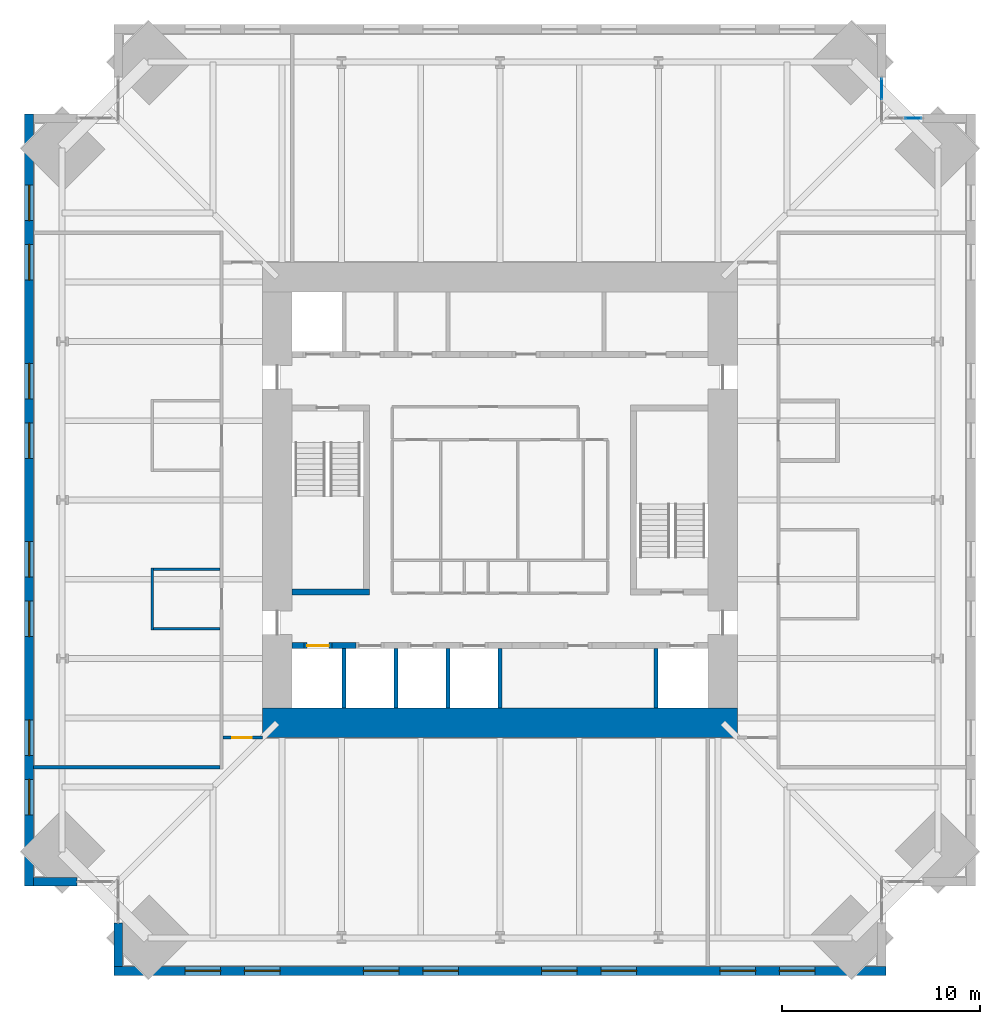
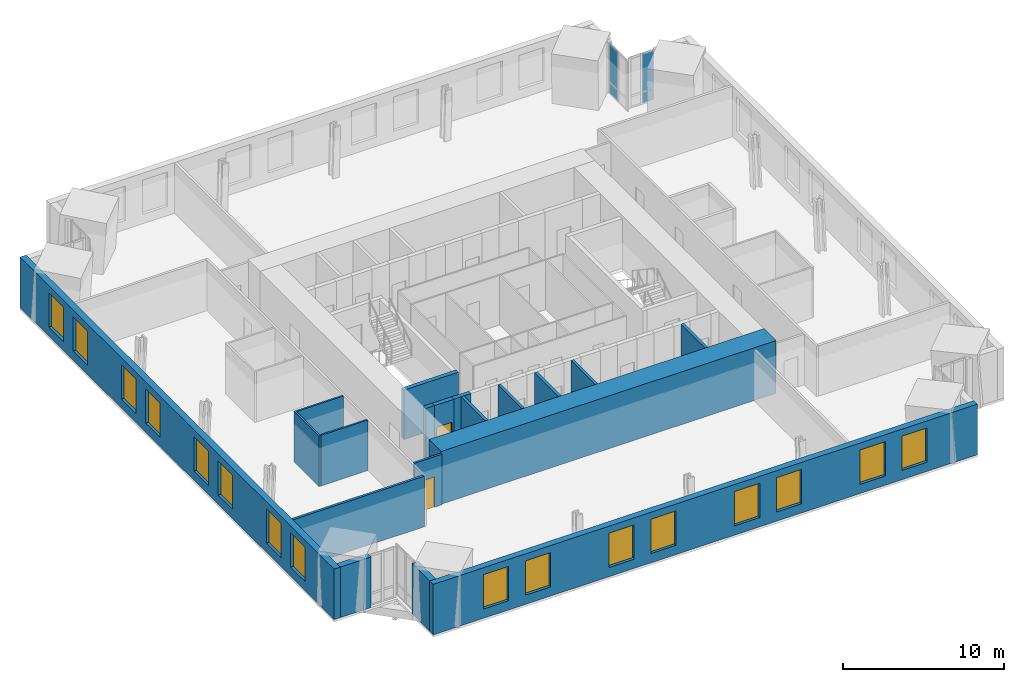
# One storey, part 10 of 15: 19 walls, 16 windows, 4 plates, 2 doors, 18 openings, 2 elements without a shape of their own.
"""IFC4 building model written with IfcOpenShell, lengths in metres."""

from ifc_helpers import new_model, si_unit, direction, frame, frame_2d, origin, origin_2d, place, context, subcontext, project, spatial, rectangle, extrude, material, layer, layer_set, type_object, element, fill, aggregate, save


model = new_model("IFC4")

# Units and contexts
model_context = context("Model", 3, precision=1e-05, world=origin(), true_north=direction((0.0, 1.0)))
body_context = subcontext(model_context, "Body", "Model", "MODEL_VIEW")
ifc_project = project(units=[si_unit("LENGTHUNIT", "METRE"), si_unit("AREAUNIT", "SQUARE_METRE"), si_unit("VOLUMEUNIT", "CUBIC_METRE"), si_unit("PLANEANGLEUNIT", "RADIAN"), si_unit("MASSUNIT", "GRAM", prefix="KILO")], contexts=[model_context])

# Site, building, storey
site_placement = place(None, origin())
site = spatial("IfcSite", under=ifc_project, at=site_placement, CompositionType="ELEMENT")
building_placement = place(site_placement, origin())
building = spatial("IfcBuilding", under=site, at=building_placement, Name="Peilmerk Tower", CompositionType="ELEMENT")
storey_placement = place(building_placement, frame((0.0, 0.0, 217.800048828125)))
storey = spatial("IfcBuildingStorey", under=building, at=storey_placement, Name="L47", CompositionType="ELEMENT", Elevation=217.800048828125)

# Curtain wall, plates
ifc_material_1 = material(Name="Aluminium stick curtain wall", Category="aluminium")
curtain_wall_type = type_object("IfcCurtainWallType", Name="CW4 stick curtain wall, 2250 module", PredefinedType="NOTDEFINED", material=ifc_material_1)
curtain_wall_1_placement = place(storey_placement, origin())
curtain_wall_1 = element("IfcCurtainWall", 1, at=curtain_wall_1_placement, inside=storey, type_object=curtain_wall_type, Name="Curtain wall CW4 NEA L47", PredefinedType="NOTDEFINED")
ifc_material_2 = material(Name="Clear insulated glazing unit", Category="glass")
ifc_layer_1 = layer(ifc_material_2, 0.028076171875)
ifc_layer_set_1 = layer_set([ifc_layer_1], Name="Clear insulated glazing unit")
plate_type = type_object("IfcPlateType", Name="CW4-P 28 glazed panel", PredefinedType="CURTAIN_PANEL", material=ifc_layer_set_1)
plate_1_placement = place(storey_placement, frame((19.27490234375, 20.750244140625, 0.06494140625), z_axis=(0.0, 0.0, 1.0), x_axis=(0.0, 1.0, 0.0)))
plate_1 = element("IfcPlate", 2, at=plate_1_placement, type_object=plate_type, Name="CW4 panel 2.1", PredefinedType="CURTAIN_PANEL", context=body_context, shape_type="SweptSolid", body=[
    extrude(rectangle(XDim=1.046875, YDim=0.028076171875, at=origin_2d()), origin(), (0.0, 0.0, 1.0), 0.802490234375),
])
plate_2_placement = place(storey_placement, frame((19.27490234375, 20.750244140625, 0.932373046875), z_axis=(0.0, 0.0, 1.0), x_axis=(0.0, 1.0, 0.0)))
plate_2 = element("IfcPlate", 3, at=plate_2_placement, type_object=plate_type, Name="CW4 panel 2.2", PredefinedType="CURTAIN_PANEL", context=body_context, shape_type="SweptSolid", body=[
    extrude(rectangle(XDim=1.046875, YDim=0.028076171875, at=origin_2d()), origin(), (0.0, 0.0, 1.0), 2.83251953125),
])
aggregate(curtain_wall_1, [plate_1, plate_2])

curtain_wall_2_placement = place(storey_placement, origin())
curtain_wall_2 = element("IfcCurtainWall", 4, at=curtain_wall_2_placement, inside=storey, type_object=curtain_wall_type, Name="Curtain wall CW4 NEB L47", PredefinedType="NOTDEFINED")
plate_3_placement = place(storey_placement, frame((20.86279296875, 19.27490234375, 0.06494140625), z_axis=(0.0, 0.0, 1.0), x_axis=(1.0, 0.0, 0.0)))
plate_3 = element("IfcPlate", 5, at=plate_3_placement, type_object=plate_type, Name="CW4 panel 2.1", PredefinedType="CURTAIN_PANEL", context=body_context, shape_type="SweptSolid", body=[
    extrude(rectangle(XDim=0.82177734375, YDim=0.028076171875, at=origin_2d()), origin(), (0.0, 0.0, 1.0), 0.802490234375),
])
plate_4_placement = place(storey_placement, frame((20.86279296875, 19.27490234375, 0.932373046875), z_axis=(0.0, 0.0, 1.0), x_axis=(1.0, 0.0, 0.0)))
plate_4 = element("IfcPlate", 6, at=plate_4_placement, type_object=plate_type, Name="CW4 panel 2.2", PredefinedType="CURTAIN_PANEL", context=body_context, shape_type="SweptSolid", body=[
    extrude(rectangle(XDim=0.82177734375, YDim=0.028076171875, at=origin_2d()), origin(), (0.0, 0.0, 1.0), 2.83251953125),
])
aggregate(curtain_wall_2, [plate_3, plate_4])

# Wall, openings, windows
ifc_material_3 = material(Name="Precast concrete C45/55, board-marked finish", Category="concrete")
ifc_layer_2 = layer(ifc_material_3, 0.449951171875)
ifc_layer_set_2 = layer_set([ifc_layer_2], Name="Precast concrete C45/55, board-marked finish")
wall_type_1 = type_object("IfcWallType", Name="EW1 450 precast concrete facade wall, board-marked", PredefinedType="SOLIDWALL", material=ifc_layer_set_2)
wall_1_placement = place(storey_placement, frame((-19.5, -23.77490234375, 0.0), z_axis=(0.0, 0.0, 1.0), x_axis=(1.0, 0.0, 0.0)))
wall_1 = element("IfcWall", 7, at=wall_1_placement, inside=storey, type_object=wall_type_1, Name="Facade wall S L47", PredefinedType="SOLIDWALL", context=body_context, shape_type="SweptSolid", body=[
    extrude(rectangle(XDim=39.0, YDim=0.449951171875, at=frame_2d((19.5, 0.0))), origin(), (0.0, 0.0, 1.0), 3.829833984375),
])
opening_1_placement = place(wall_1_placement, frame((3.60009765625, 0.0, 0.699951171875)))
opening_1 = element("IfcOpeningElement", 8, at=opening_1_placement, cuts=wall_1, Name="Opening W1", PredefinedType="OPENING", context=body_context, shape_type="SweptSolid", body=[
    extrude(rectangle(XDim=1.800048828125, YDim=2.60009765625, at=frame_2d((0.89990234375, 1.300048828125))), frame((0.0, 0.23486328125, 0.0), z_axis=(0.0, -1.0, 0.0), x_axis=(1.0, 0.0, 0.0)), (0.0, 0.0, 1.0), 0.469970703125),
])
opening_2_placement = place(wall_1_placement, frame((6.60009765625, 0.0, 0.699951171875)))
opening_2 = element("IfcOpeningElement", 9, at=opening_2_placement, cuts=wall_1, Name="Opening W1", PredefinedType="OPENING", context=body_context, shape_type="SweptSolid", body=[
    extrude(rectangle(XDim=1.800048828125, YDim=2.60009765625, at=frame_2d((0.89990234375, 1.300048828125))), frame((0.0, 0.23486328125, 0.0), z_axis=(0.0, -1.0, 0.0), x_axis=(1.0, 0.0, 0.0)), (0.0, 0.0, 1.0), 0.469970703125),
])
opening_3_placement = place(wall_1_placement, frame((12.60009765625, 0.0, 0.699951171875)))
opening_3 = element("IfcOpeningElement", 10, at=opening_3_placement, cuts=wall_1, Name="Opening W1", PredefinedType="OPENING", context=body_context, shape_type="SweptSolid", body=[
    extrude(rectangle(XDim=1.800048828125, YDim=2.60009765625, at=frame_2d((0.89990234375, 1.300048828125))), frame((0.0, 0.23486328125, 0.0), z_axis=(0.0, -1.0, 0.0), x_axis=(1.0, 0.0, 0.0)), (0.0, 0.0, 1.0), 0.469970703125),
])
opening_4_placement = place(wall_1_placement, frame((15.60009765625, 0.0, 0.699951171875)))
opening_4 = element("IfcOpeningElement", 11, at=opening_4_placement, cuts=wall_1, Name="Opening W1", PredefinedType="OPENING", context=body_context, shape_type="SweptSolid", body=[
    extrude(rectangle(XDim=1.800048828125, YDim=2.60009765625, at=frame_2d((0.89990234375, 1.300048828125))), frame((0.0, 0.23486328125, 0.0), z_axis=(0.0, -1.0, 0.0), x_axis=(1.0, 0.0, 0.0)), (0.0, 0.0, 1.0), 0.469970703125),
])
opening_5_placement = place(wall_1_placement, frame((21.60009765625, 0.0, 0.699951171875)))
opening_5 = element("IfcOpeningElement", 12, at=opening_5_placement, cuts=wall_1, Name="Opening W1", PredefinedType="OPENING", context=body_context, shape_type="SweptSolid", body=[
    extrude(rectangle(XDim=1.800048828125, YDim=2.60009765625, at=frame_2d((0.89990234375, 1.300048828125))), frame((0.0, 0.23486328125, 0.0), z_axis=(0.0, -1.0, 0.0), x_axis=(1.0, 0.0, 0.0)), (0.0, 0.0, 1.0), 0.469970703125),
])
opening_6_placement = place(wall_1_placement, frame((24.60009765625, 0.0, 0.699951171875)))
opening_6 = element("IfcOpeningElement", 13, at=opening_6_placement, cuts=wall_1, Name="Opening W1", PredefinedType="OPENING", context=body_context, shape_type="SweptSolid", body=[
    extrude(rectangle(XDim=1.800048828125, YDim=2.60009765625, at=frame_2d((0.89990234375, 1.300048828125))), frame((0.0, 0.23486328125, 0.0), z_axis=(0.0, -1.0, 0.0), x_axis=(1.0, 0.0, 0.0)), (0.0, 0.0, 1.0), 0.469970703125),
])
opening_7_placement = place(wall_1_placement, frame((30.60009765625, 0.0, 0.699951171875)))
opening_7 = element("IfcOpeningElement", 14, at=opening_7_placement, cuts=wall_1, Name="Opening W1", PredefinedType="OPENING", context=body_context, shape_type="SweptSolid", body=[
    extrude(rectangle(XDim=1.800048828125, YDim=2.60009765625, at=frame_2d((0.89990234375, 1.300048828125))), frame((0.0, 0.23486328125, 0.0), z_axis=(0.0, -1.0, 0.0), x_axis=(1.0, 0.0, 0.0)), (0.0, 0.0, 1.0), 0.469970703125),
])
opening_8_placement = place(wall_1_placement, frame((33.60009765625, 0.0, 0.699951171875)))
opening_8 = element("IfcOpeningElement", 15, at=opening_8_placement, cuts=wall_1, Name="Opening W1", PredefinedType="OPENING", context=body_context, shape_type="SweptSolid", body=[
    extrude(rectangle(XDim=1.800048828125, YDim=2.60009765625, at=frame_2d((0.89990234375, 1.300048828125))), frame((0.0, 0.23486328125, 0.0), z_axis=(0.0, -1.0, 0.0), x_axis=(1.0, 0.0, 0.0)), (0.0, 0.0, 1.0), 0.469970703125),
])
ifc_material_4 = material(Name="Aluminium frame, clear double glazing", Category="aluminium")
window_type = type_object("IfcWindowType", Name="W1 1800x2600 office window", PartitioningType="SINGLE_PANEL", PredefinedType="WINDOW", material=ifc_material_4)
window_1_placement = place(opening_1_placement, origin())
window_1 = element("IfcWindow", 16, at=window_1_placement, inside=storey, type_object=window_type, Name="Window W1 L47", OverallHeight=2.60009765625, OverallWidth=1.800048828125, PartitioningType="SINGLE_PANEL", PredefinedType="WINDOW", context=body_context, shape_type="SweptSolid", body=[
    extrude(rectangle(XDim=1.800048828125, YDim=2.60009765625, at=frame_2d((0.89990234375, 1.300048828125))), frame((0.0, 0.030029296875, 0.0), z_axis=(0.0, -1.0, 0.0), x_axis=(1.0, 0.0, 0.0)), (0.0, 0.0, 1.0), 0.06005859375),
])
fill(opening_1, window_1)
window_2_placement = place(opening_2_placement, origin())
window_2 = element("IfcWindow", 17, at=window_2_placement, inside=storey, type_object=window_type, Name="Window W1 L47", OverallHeight=2.60009765625, OverallWidth=1.800048828125, PartitioningType="SINGLE_PANEL", PredefinedType="WINDOW", context=body_context, shape_type="SweptSolid", body=[
    extrude(rectangle(XDim=1.800048828125, YDim=2.60009765625, at=frame_2d((0.89990234375, 1.300048828125))), frame((0.0, 0.030029296875, 0.0), z_axis=(0.0, -1.0, 0.0), x_axis=(1.0, 0.0, 0.0)), (0.0, 0.0, 1.0), 0.06005859375),
])
fill(opening_2, window_2)
window_3_placement = place(opening_3_placement, origin())
window_3 = element("IfcWindow", 18, at=window_3_placement, inside=storey, type_object=window_type, Name="Window W1 L47", OverallHeight=2.60009765625, OverallWidth=1.800048828125, PartitioningType="SINGLE_PANEL", PredefinedType="WINDOW", context=body_context, shape_type="SweptSolid", body=[
    extrude(rectangle(XDim=1.800048828125, YDim=2.60009765625, at=frame_2d((0.89990234375, 1.300048828125))), frame((0.0, 0.030029296875, 0.0), z_axis=(0.0, -1.0, 0.0), x_axis=(1.0, 0.0, 0.0)), (0.0, 0.0, 1.0), 0.06005859375),
])
fill(opening_3, window_3)
window_4_placement = place(opening_4_placement, origin())
window_4 = element("IfcWindow", 19, at=window_4_placement, inside=storey, type_object=window_type, Name="Window W1 L47", OverallHeight=2.60009765625, OverallWidth=1.800048828125, PartitioningType="SINGLE_PANEL", PredefinedType="WINDOW", context=body_context, shape_type="SweptSolid", body=[
    extrude(rectangle(XDim=1.800048828125, YDim=2.60009765625, at=frame_2d((0.89990234375, 1.300048828125))), frame((0.0, 0.030029296875, 0.0), z_axis=(0.0, -1.0, 0.0), x_axis=(1.0, 0.0, 0.0)), (0.0, 0.0, 1.0), 0.06005859375),
])
fill(opening_4, window_4)
window_5_placement = place(opening_5_placement, origin())
window_5 = element("IfcWindow", 20, at=window_5_placement, inside=storey, type_object=window_type, Name="Window W1 L47", OverallHeight=2.60009765625, OverallWidth=1.800048828125, PartitioningType="SINGLE_PANEL", PredefinedType="WINDOW", context=body_context, shape_type="SweptSolid", body=[
    extrude(rectangle(XDim=1.800048828125, YDim=2.60009765625, at=frame_2d((0.89990234375, 1.300048828125))), frame((0.0, 0.030029296875, 0.0), z_axis=(0.0, -1.0, 0.0), x_axis=(1.0, 0.0, 0.0)), (0.0, 0.0, 1.0), 0.06005859375),
])
fill(opening_5, window_5)
window_6_placement = place(opening_6_placement, origin())
window_6 = element("IfcWindow", 21, at=window_6_placement, inside=storey, type_object=window_type, Name="Window W1 L47", OverallHeight=2.60009765625, OverallWidth=1.800048828125, PartitioningType="SINGLE_PANEL", PredefinedType="WINDOW", context=body_context, shape_type="SweptSolid", body=[
    extrude(rectangle(XDim=1.800048828125, YDim=2.60009765625, at=frame_2d((0.89990234375, 1.300048828125))), frame((0.0, 0.030029296875, 0.0), z_axis=(0.0, -1.0, 0.0), x_axis=(1.0, 0.0, 0.0)), (0.0, 0.0, 1.0), 0.06005859375),
])
fill(opening_6, window_6)
window_7_placement = place(opening_7_placement, origin())
window_7 = element("IfcWindow", 22, at=window_7_placement, inside=storey, type_object=window_type, Name="Window W1 L47", OverallHeight=2.60009765625, OverallWidth=1.800048828125, PartitioningType="SINGLE_PANEL", PredefinedType="WINDOW", context=body_context, shape_type="SweptSolid", body=[
    extrude(rectangle(XDim=1.800048828125, YDim=2.60009765625, at=frame_2d((0.89990234375, 1.300048828125))), frame((0.0, 0.030029296875, 0.0), z_axis=(0.0, -1.0, 0.0), x_axis=(1.0, 0.0, 0.0)), (0.0, 0.0, 1.0), 0.06005859375),
])
fill(opening_7, window_7)
window_8_placement = place(opening_8_placement, origin())
window_8 = element("IfcWindow", 23, at=window_8_placement, inside=storey, type_object=window_type, Name="Window W1 L47", OverallHeight=2.60009765625, OverallWidth=1.800048828125, PartitioningType="SINGLE_PANEL", PredefinedType="WINDOW", context=body_context, shape_type="SweptSolid", body=[
    extrude(rectangle(XDim=1.800048828125, YDim=2.60009765625, at=frame_2d((0.89990234375, 1.300048828125))), frame((0.0, 0.030029296875, 0.0), z_axis=(0.0, -1.0, 0.0), x_axis=(1.0, 0.0, 0.0)), (0.0, 0.0, 1.0), 0.06005859375),
])
fill(opening_8, window_8)

wall_2_placement = place(storey_placement, frame((-23.77490234375, 19.5, 0.0), z_axis=(0.0, 0.0, 1.0), x_axis=(0.0, -1.0, 0.0)))
wall_2 = element("IfcWall", 24, at=wall_2_placement, inside=storey, type_object=wall_type_1, Name="Facade wall W L47", PredefinedType="SOLIDWALL", context=body_context, shape_type="SweptSolid", body=[
    extrude(rectangle(XDim=39.0, YDim=0.449951171875, at=frame_2d((19.5, 0.0))), origin(), (0.0, 0.0, 1.0), 3.829833984375),
])
opening_9_placement = place(wall_2_placement, frame((3.60009765625, 0.0, 0.699951171875)))
opening_9 = element("IfcOpeningElement", 25, at=opening_9_placement, cuts=wall_2, Name="Opening W1", PredefinedType="OPENING", context=body_context, shape_type="SweptSolid", body=[
    extrude(rectangle(XDim=1.800048828125, YDim=2.60009765625, at=frame_2d((0.89990234375, 1.300048828125))), frame((0.0, 0.23486328125, 0.0), z_axis=(0.0, -1.0, 0.0), x_axis=(1.0, 0.0, 0.0)), (0.0, 0.0, 1.0), 0.469970703125),
])
opening_10_placement = place(wall_2_placement, frame((6.60009765625, 0.0, 0.699951171875)))
opening_10 = element("IfcOpeningElement", 26, at=opening_10_placement, cuts=wall_2, Name="Opening W1", PredefinedType="OPENING", context=body_context, shape_type="SweptSolid", body=[
    extrude(rectangle(XDim=1.800048828125, YDim=2.60009765625, at=frame_2d((0.89990234375, 1.300048828125))), frame((0.0, 0.23486328125, 0.0), z_axis=(0.0, -1.0, 0.0), x_axis=(1.0, 0.0, 0.0)), (0.0, 0.0, 1.0), 0.469970703125),
])
opening_11_placement = place(wall_2_placement, frame((12.60009765625, 0.0, 0.699951171875)))
opening_11 = element("IfcOpeningElement", 27, at=opening_11_placement, cuts=wall_2, Name="Opening W1", PredefinedType="OPENING", context=body_context, shape_type="SweptSolid", body=[
    extrude(rectangle(XDim=1.800048828125, YDim=2.60009765625, at=frame_2d((0.89990234375, 1.300048828125))), frame((0.0, 0.23486328125, 0.0), z_axis=(0.0, -1.0, 0.0), x_axis=(1.0, 0.0, 0.0)), (0.0, 0.0, 1.0), 0.469970703125),
])
opening_12_placement = place(wall_2_placement, frame((15.60009765625, 0.0, 0.699951171875)))
opening_12 = element("IfcOpeningElement", 28, at=opening_12_placement, cuts=wall_2, Name="Opening W1", PredefinedType="OPENING", context=body_context, shape_type="SweptSolid", body=[
    extrude(rectangle(XDim=1.800048828125, YDim=2.60009765625, at=frame_2d((0.89990234375, 1.300048828125))), frame((0.0, 0.23486328125, 0.0), z_axis=(0.0, -1.0, 0.0), x_axis=(1.0, 0.0, 0.0)), (0.0, 0.0, 1.0), 0.469970703125),
])
opening_13_placement = place(wall_2_placement, frame((21.60009765625, 0.0, 0.699951171875)))
opening_13 = element("IfcOpeningElement", 29, at=opening_13_placement, cuts=wall_2, Name="Opening W1", PredefinedType="OPENING", context=body_context, shape_type="SweptSolid", body=[
    extrude(rectangle(XDim=1.800048828125, YDim=2.60009765625, at=frame_2d((0.89990234375, 1.300048828125))), frame((0.0, 0.23486328125, 0.0), z_axis=(0.0, -1.0, 0.0), x_axis=(1.0, 0.0, 0.0)), (0.0, 0.0, 1.0), 0.469970703125),
])
opening_14_placement = place(wall_2_placement, frame((24.60009765625, 0.0, 0.699951171875)))
opening_14 = element("IfcOpeningElement", 30, at=opening_14_placement, cuts=wall_2, Name="Opening W1", PredefinedType="OPENING", context=body_context, shape_type="SweptSolid", body=[
    extrude(rectangle(XDim=1.800048828125, YDim=2.60009765625, at=frame_2d((0.89990234375, 1.300048828125))), frame((0.0, 0.23486328125, 0.0), z_axis=(0.0, -1.0, 0.0), x_axis=(1.0, 0.0, 0.0)), (0.0, 0.0, 1.0), 0.469970703125),
])
opening_15_placement = place(wall_2_placement, frame((30.60009765625, 0.0, 0.699951171875)))
opening_15 = element("IfcOpeningElement", 31, at=opening_15_placement, cuts=wall_2, Name="Opening W1", PredefinedType="OPENING", context=body_context, shape_type="SweptSolid", body=[
    extrude(rectangle(XDim=1.800048828125, YDim=2.60009765625, at=frame_2d((0.89990234375, 1.300048828125))), frame((0.0, 0.23486328125, 0.0), z_axis=(0.0, -1.0, 0.0), x_axis=(1.0, 0.0, 0.0)), (0.0, 0.0, 1.0), 0.469970703125),
])
opening_16_placement = place(wall_2_placement, frame((33.60009765625, 0.0, 0.699951171875)))
opening_16 = element("IfcOpeningElement", 32, at=opening_16_placement, cuts=wall_2, Name="Opening W1", PredefinedType="OPENING", context=body_context, shape_type="SweptSolid", body=[
    extrude(rectangle(XDim=1.800048828125, YDim=2.60009765625, at=frame_2d((0.89990234375, 1.300048828125))), frame((0.0, 0.23486328125, 0.0), z_axis=(0.0, -1.0, 0.0), x_axis=(1.0, 0.0, 0.0)), (0.0, 0.0, 1.0), 0.469970703125),
])
window_9_placement = place(opening_9_placement, origin())
window_9 = element("IfcWindow", 33, at=window_9_placement, inside=storey, type_object=window_type, Name="Window W1 L47", OverallHeight=2.60009765625, OverallWidth=1.800048828125, PartitioningType="SINGLE_PANEL", PredefinedType="WINDOW", context=body_context, shape_type="SweptSolid", body=[
    extrude(rectangle(XDim=1.800048828125, YDim=2.60009765625, at=frame_2d((0.89990234375, 1.300048828125))), frame((0.0, 0.030029296875, 0.0), z_axis=(0.0, -1.0, 0.0), x_axis=(1.0, 0.0, 0.0)), (0.0, 0.0, 1.0), 0.06005859375),
])
fill(opening_9, window_9)
window_10_placement = place(opening_10_placement, origin())
window_10 = element("IfcWindow", 34, at=window_10_placement, inside=storey, type_object=window_type, Name="Window W1 L47", OverallHeight=2.60009765625, OverallWidth=1.800048828125, PartitioningType="SINGLE_PANEL", PredefinedType="WINDOW", context=body_context, shape_type="SweptSolid", body=[
    extrude(rectangle(XDim=1.800048828125, YDim=2.60009765625, at=frame_2d((0.89990234375, 1.300048828125))), frame((0.0, 0.030029296875, 0.0), z_axis=(0.0, -1.0, 0.0), x_axis=(1.0, 0.0, 0.0)), (0.0, 0.0, 1.0), 0.06005859375),
])
fill(opening_10, window_10)
window_11_placement = place(opening_11_placement, origin())
window_11 = element("IfcWindow", 35, at=window_11_placement, inside=storey, type_object=window_type, Name="Window W1 L47", OverallHeight=2.60009765625, OverallWidth=1.800048828125, PartitioningType="SINGLE_PANEL", PredefinedType="WINDOW", context=body_context, shape_type="SweptSolid", body=[
    extrude(rectangle(XDim=1.800048828125, YDim=2.60009765625, at=frame_2d((0.89990234375, 1.300048828125))), frame((0.0, 0.030029296875, 0.0), z_axis=(0.0, -1.0, 0.0), x_axis=(1.0, 0.0, 0.0)), (0.0, 0.0, 1.0), 0.06005859375),
])
fill(opening_11, window_11)
window_12_placement = place(opening_12_placement, origin())
window_12 = element("IfcWindow", 36, at=window_12_placement, inside=storey, type_object=window_type, Name="Window W1 L47", OverallHeight=2.60009765625, OverallWidth=1.800048828125, PartitioningType="SINGLE_PANEL", PredefinedType="WINDOW", context=body_context, shape_type="SweptSolid", body=[
    extrude(rectangle(XDim=1.800048828125, YDim=2.60009765625, at=frame_2d((0.89990234375, 1.300048828125))), frame((0.0, 0.030029296875, 0.0), z_axis=(0.0, -1.0, 0.0), x_axis=(1.0, 0.0, 0.0)), (0.0, 0.0, 1.0), 0.06005859375),
])
fill(opening_12, window_12)
window_13_placement = place(opening_13_placement, origin())
window_13 = element("IfcWindow", 37, at=window_13_placement, inside=storey, type_object=window_type, Name="Window W1 L47", OverallHeight=2.60009765625, OverallWidth=1.800048828125, PartitioningType="SINGLE_PANEL", PredefinedType="WINDOW", context=body_context, shape_type="SweptSolid", body=[
    extrude(rectangle(XDim=1.800048828125, YDim=2.60009765625, at=frame_2d((0.89990234375, 1.300048828125))), frame((0.0, 0.030029296875, 0.0), z_axis=(0.0, -1.0, 0.0), x_axis=(1.0, 0.0, 0.0)), (0.0, 0.0, 1.0), 0.06005859375),
])
fill(opening_13, window_13)
window_14_placement = place(opening_14_placement, origin())
window_14 = element("IfcWindow", 38, at=window_14_placement, inside=storey, type_object=window_type, Name="Window W1 L47", OverallHeight=2.60009765625, OverallWidth=1.800048828125, PartitioningType="SINGLE_PANEL", PredefinedType="WINDOW", context=body_context, shape_type="SweptSolid", body=[
    extrude(rectangle(XDim=1.800048828125, YDim=2.60009765625, at=frame_2d((0.89990234375, 1.300048828125))), frame((0.0, 0.030029296875, 0.0), z_axis=(0.0, -1.0, 0.0), x_axis=(1.0, 0.0, 0.0)), (0.0, 0.0, 1.0), 0.06005859375),
])
fill(opening_14, window_14)
window_15_placement = place(opening_15_placement, origin())
window_15 = element("IfcWindow", 39, at=window_15_placement, inside=storey, type_object=window_type, Name="Window W1 L47", OverallHeight=2.60009765625, OverallWidth=1.800048828125, PartitioningType="SINGLE_PANEL", PredefinedType="WINDOW", context=body_context, shape_type="SweptSolid", body=[
    extrude(rectangle(XDim=1.800048828125, YDim=2.60009765625, at=frame_2d((0.89990234375, 1.300048828125))), frame((0.0, 0.030029296875, 0.0), z_axis=(0.0, -1.0, 0.0), x_axis=(1.0, 0.0, 0.0)), (0.0, 0.0, 1.0), 0.06005859375),
])
fill(opening_15, window_15)
window_16_placement = place(opening_16_placement, origin())
window_16 = element("IfcWindow", 40, at=window_16_placement, inside=storey, type_object=window_type, Name="Window W1 L47", OverallHeight=2.60009765625, OverallWidth=1.800048828125, PartitioningType="SINGLE_PANEL", PredefinedType="WINDOW", context=body_context, shape_type="SweptSolid", body=[
    extrude(rectangle(XDim=1.800048828125, YDim=2.60009765625, at=frame_2d((0.89990234375, 1.300048828125))), frame((0.0, 0.030029296875, 0.0), z_axis=(0.0, -1.0, 0.0), x_axis=(1.0, 0.0, 0.0)), (0.0, 0.0, 1.0), 0.06005859375),
])
fill(opening_16, window_16)

# Walls
for number, where, z_axis, x_axis, name in (
    (41, (-19.27490234375, -21.353759765625, 0.0), (0.0, 0.0, 1.0), (0.0, -1.0, 0.0), "Facade wall SWA L47"),
    (42, (-21.353759765625, -19.27490234375, 0.0), (0.0, 0.0, 1.0), (-1.0, 0.0, 0.0), "Facade wall SWB L47"),
):
    element("IfcWall", number, at=place(storey_placement, frame(where, z_axis=z_axis, x_axis=x_axis)), inside=storey, type_object=wall_type_1, Name=name, PredefinedType="SOLIDWALL", context=body_context, shape_type="SweptSolid", body=[
        extrude(rectangle(XDim=2.1962890625, YDim=0.449951171875, at=frame_2d((1.09814453125, 0.0))), origin(), (0.0, 0.0, 1.0), 3.829833984375),
    ])

# Wall, opening, door
ifc_material_5 = material(Name="Calcium silicate block", Category="masonry")
ifc_layer_3 = layer(ifc_material_5, 0.14990234375)
ifc_layer_set_3 = layer_set([ifc_layer_3], Name="Calcium silicate block")
wall_type_2 = type_object("IfcWallType", Name="IW1 150 corridor partition, EI 60", PredefinedType="PARTITIONING", material=ifc_layer_set_3)
wall_3_placement = place(storey_placement, frame((-12.0, -12.0, 0.0), z_axis=(0.0, 0.0, 1.0), x_axis=(-1.0, 0.0, 0.0)))
wall_3 = element("IfcWall", 43, at=wall_3_placement, inside=storey, type_object=wall_type_2, Name="Corridor wall SW L47", PredefinedType="PARTITIONING", context=body_context, shape_type="SweptSolid", body=[
    extrude(rectangle(XDim=1.97509765625, YDim=0.14990234375, at=frame_2d((0.987548828125, 0.0))), origin(), (0.0, 0.0, 1.0), 3.829833984375),
])
opening_17_placement = place(wall_3_placement, frame((0.52490234375, 0.0, 0.0)))
opening_17 = element("IfcOpeningElement", 44, at=opening_17_placement, cuts=wall_3, Name="Opening D1", PredefinedType="OPENING", context=body_context, shape_type="SweptSolid", body=[
    extrude(rectangle(XDim=1.0, YDim=2.300048828125, at=frame_2d((0.5, 1.14990234375))), frame((0.0, 0.0849609375, 0.0), z_axis=(0.0, -1.0, 0.0), x_axis=(1.0, 0.0, 0.0)), (0.0, 0.0, 1.0), 0.169921875),
])
ifc_material_6 = material(Name="Timber door in steel frame", Category="steel")
door_type_1 = type_object("IfcDoorType", Name="D1 1000x2300 room door, EI2 30", OperationType="SINGLE_SWING_LEFT", PredefinedType="DOOR", material=ifc_material_6)
door_1_placement = place(opening_17_placement, origin())
door_1 = element("IfcDoor", 45, at=door_1_placement, inside=storey, type_object=door_type_1, Name="Door Tenant suite L47", OperationType="SINGLE_SWING_LEFT", OverallHeight=2.300048828125, OverallWidth=1.0, PredefinedType="DOOR", context=body_context, shape_type="SweptSolid", body=[
    extrude(rectangle(XDim=1.0, YDim=2.300048828125, at=frame_2d((0.5, 1.14990234375))), frame((0.0, 0.02490234375, 0.0), z_axis=(0.0, -1.0, 0.0), x_axis=(1.0, 0.0, 0.0)), (0.0, 0.0, 1.0), 0.050048828125),
])
fill(opening_17, door_1)

# Walls
ifc_material_7 = material(Name="Concrete C35/45", Category="concrete")
ifc_layer_4 = layer(ifc_material_7, 0.300048828125)
ifc_layer_set_4 = layer_set([ifc_layer_4], Name="Concrete C35/45")
wall_type_3 = type_object("IfcWallType", Name="IW3 300 concrete stair enclosure wall, EI 120", PredefinedType="SOLIDWALL", material=ifc_layer_set_4)
wall_4_placement = place(storey_placement, frame((-6.60009765625, -4.64990234375, 0.0), z_axis=(0.0, 0.0, 1.0), x_axis=(-1.0, 0.0, 0.0)))
element("IfcWall", 46, at=wall_4_placement, inside=storey, type_object=wall_type_3, Name="Stair 1 enclosure L47", PredefinedType="SOLIDWALL", context=body_context, shape_type="SweptSolid", body=[
    extrude(rectangle(XDim=3.89990234375, YDim=0.300048828125, at=frame_2d((1.949951171875, 0.0))), origin(), (0.0, 0.0, 1.0), 3.75),
])
ifc_material_8 = material(Name="Plasterboard on steel studs, double boarded with mineral wool", Category="steel")
ifc_layer_5 = layer(ifc_material_8, 0.125)
ifc_layer_set_5 = layer_set([ifc_layer_5], Name="Plasterboard on steel studs, double boarded with mineral wool")
wall_type_4 = type_object("IfcWallType", Name="IW7 125 acoustic partition, EI 30", PredefinedType="PARTITIONING", material=ifc_layer_set_5)
wall_5_placement = place(storey_placement, frame((-17.550048828125, -6.5625, 0.0), z_axis=(0.0, 0.0, 1.0), x_axis=(0.0, 1.0, 0.0)))
element("IfcWall", 47, at=wall_5_placement, inside=storey, type_object=wall_type_4, Name="Acoustic partition Focus room L47", PredefinedType="PARTITIONING", context=body_context, shape_type="SweptSolid", body=[
    extrude(rectangle(XDim=3.125, YDim=0.125, at=frame_2d((1.5625, 0.0))), origin(), (0.0, 0.0, 1.0), 3.829833984375),
])
for number, where, z_axis, x_axis, name in (
    (48, (-14.125, -6.5, 0.0), (0.0, 0.0, 1.0), (-1.0, 0.0, 0.0), "Acoustic partition Focus room L47"),
    (49, (-14.125, -3.5, 0.0), (0.0, 0.0, 1.0), (-1.0, 0.0, 0.0), "Acoustic partition Focus room L47"),
):
    element("IfcWall", number, at=place(storey_placement, frame(where, z_axis=z_axis, x_axis=x_axis)), inside=storey, type_object=wall_type_4, Name=name, PredefinedType="PARTITIONING", context=body_context, shape_type="SweptSolid", body=[
        extrude(rectangle(XDim=3.362548828125, YDim=0.125, at=frame_2d((1.68115234375, 0.0))), origin(), (0.0, 0.0, 1.0), 3.829833984375),
    ])
ifc_layer_6 = layer(ifc_material_5, 0.175048828125)
ifc_layer_set_6 = layer_set([ifc_layer_6], Name="Calcium silicate block")
wall_type_5 = type_object("IfcWallType", Name="IW8 175 tenant separating wall, EI 60", PredefinedType="PARTITIONING", material=ifc_layer_set_6)
wall_6_placement = place(storey_placement, frame((-14.125, -13.5, 0.0), z_axis=(0.0, 0.0, 1.0), x_axis=(-1.0, 0.0, 0.0)))
element("IfcWall", 50, at=wall_6_placement, inside=storey, type_object=wall_type_5, Name="Tenant separating wall SW L47", PredefinedType="PARTITIONING", context=body_context, shape_type="SweptSolid", body=[
    extrude(rectangle(XDim=9.425048828125, YDim=0.175048828125, at=frame_2d((4.71240234375, 0.0))), origin(), (0.0, 0.0, 1.0), 3.829833984375),
])
ifc_layer_7 = layer(ifc_material_5, 0.199951171875)
ifc_layer_set_7 = layer_set([ifc_layer_7], Name="Calcium silicate block")
wall_type_6 = type_object("IfcWallType", Name="SH1 200 shaft dividing wall, EI 120", PredefinedType="PARTITIONING", material=ifc_layer_set_7)
for number, where, z_axis, x_axis, name in (
    (51, (-7.875, -10.5, 0.0), (0.0, 0.0, 1.0), (0.0, 1.0, 0.0), "Shaft wall S C4 L47"),
    (52, (-5.25, -10.5, 0.0), (0.0, 0.0, 1.0), (0.0, 1.0, 0.0), "Shaft wall S C3 L47"),
    (53, (-2.625, -10.5, 0.0), (0.0, 0.0, 1.0), (0.0, 1.0, 0.0), "Shaft wall S C2 L47"),
    (54, (0.0, -10.5, 0.0), (0.0, 0.0, 1.0), (0.0, 1.0, 0.0), "Shaft wall S C1 L47"),
    (55, (7.875, -10.5, 0.0), (0.0, 0.0, 1.0), (0.0, 1.0, 0.0), "Shaft wall S B1 L47"),
):
    element("IfcWall", number, at=place(storey_placement, frame(where, z_axis=z_axis, x_axis=x_axis)), inside=storey, type_object=wall_type_6, Name=name, PredefinedType="PARTITIONING", context=body_context, shape_type="SweptSolid", body=[
        extrude(rectangle(XDim=3.0, YDim=0.199951171875, at=frame_2d((1.5, 0.0))), origin(), (0.0, 0.0, 1.0), 4.0),
    ])

# Wall, opening, door
ifc_layer_8 = layer(ifc_material_5, 0.300048828125)
ifc_layer_set_8 = layer_set([ifc_layer_8], Name="Calcium silicate block")
wall_type_7 = type_object("IfcWallType", Name="SH2 300 lift landing door panel, EI 120", PredefinedType="PARTITIONING", material=ifc_layer_set_8)
wall_7_placement = place(storey_placement, frame((-9.887451171875, -7.35009765625, 0.0), z_axis=(0.0, 0.0, 1.0), x_axis=(1.0, 0.0, 0.0)))
wall_7 = element("IfcWall", 56, at=wall_7_placement, inside=storey, type_object=wall_type_7, Name="Lift door panel S C4 L47", PredefinedType="PARTITIONING", context=body_context, shape_type="SweptSolid", body=[
    extrude(rectangle(XDim=1.39990234375, YDim=0.300048828125, at=frame_2d((0.699951171875, 0.0))), origin(), (0.0, 0.0, 1.0), 4.0),
])
opening_18_placement = place(wall_7_placement, frame((0.14990234375, 0.0, 0.0)))
opening_18 = element("IfcOpeningElement", 57, at=opening_18_placement, cuts=wall_7, Name="Opening LD1", PredefinedType="OPENING", context=body_context, shape_type="SweptSolid", body=[
    extrude(rectangle(XDim=1.10009765625, YDim=2.300048828125, at=frame_2d((0.550048828125, 1.14990234375))), frame((0.0, 0.159912109375, 0.0), z_axis=(0.0, -1.0, 0.0), x_axis=(1.0, 0.0, 0.0)), (0.0, 0.0, 1.0), 0.320068359375),
])
ifc_material_9 = material(Name="Stainless steel landing door", Category="steel")
door_type_2 = type_object("IfcDoorType", Name="LD1 1100x2300 lift landing door, sliding, EI2 60", OperationType="SLIDING_TO_LEFT", PredefinedType="DOOR", material=ifc_material_9)
door_2_placement = place(opening_18_placement, origin())
door_2 = element("IfcDoor", 58, at=door_2_placement, inside=storey, type_object=door_type_2, Name="Lift landing door C4 L47", OperationType="SLIDING_TO_LEFT", OverallHeight=2.300048828125, OverallWidth=1.10009765625, PredefinedType="DOOR", context=body_context, shape_type="SweptSolid", body=[
    extrude(rectangle(XDim=1.10009765625, YDim=2.300048828125, at=frame_2d((0.550048828125, 1.14990234375))), frame((0.0, 0.02490234375, 0.0), z_axis=(0.0, -1.0, 0.0), x_axis=(1.0, 0.0, 0.0)), (0.0, 0.0, 1.0), 0.050048828125),
])
fill(opening_18, door_2)

# Walls
ifc_material_10 = material(Name="Concrete C55/67", Category="concrete")
ifc_layer_9 = layer(ifc_material_10, 1.5)
ifc_layer_set_9 = layer_set([ifc_layer_9], Name="Concrete C55/67")
wall_type_8 = type_object("IfcWallType", Name="SW1 1500 core wall", PredefinedType="SHEAR", material=ifc_layer_set_9)
wall_8_placement = place(storey_placement, frame((12.0, -11.25, 0.0), z_axis=(0.0, 0.0, 1.0), x_axis=(-1.0, 0.0, 0.0)))
element("IfcWall", 59, at=wall_8_placement, inside=storey, type_object=wall_type_8, Name="Core wall S L47", PredefinedType="SHEAR", context=body_context, shape_type="SweptSolid", body=[
    extrude(rectangle(XDim=24.0, YDim=1.5, at=frame_2d((12.0, 0.0))), origin(), (0.0, 0.0, 1.0), 4.0),
])
ifc_layer_10 = layer(ifc_material_10, 0.300048828125)
ifc_layer_set_10 = layer_set([ifc_layer_10], Name="Concrete C55/67")
wall_type_9 = type_object("IfcWallType", Name="SW2 300 lift bank pier", PredefinedType="SHEAR", material=ifc_layer_set_10)
wall_9_placement = place(storey_placement, frame((-10.5, -7.35009765625, 0.0), z_axis=(0.0, 0.0, 1.0), x_axis=(1.0, 0.0, 0.0)))
element("IfcWall", 60, at=wall_9_placement, inside=storey, type_object=wall_type_9, Name="Lift bank pier S L47", PredefinedType="SHEAR", context=body_context, shape_type="SweptSolid", body=[
    extrude(rectangle(XDim=0.612548828125, YDim=0.300048828125, at=frame_2d((0.30615234375, 0.0))), origin(), (0.0, 0.0, 1.0), 4.0),
])
wall_10_placement = place(storey_placement, frame((-8.487548828125, -7.35009765625, 0.0), z_axis=(0.0, 0.0, 1.0), x_axis=(1.0, 0.0, 0.0)))
element("IfcWall", 61, at=wall_10_placement, inside=storey, type_object=wall_type_9, Name="Lift bank pier S L47", PredefinedType="SHEAR", context=body_context, shape_type="SweptSolid", body=[
    extrude(rectangle(XDim=1.22509765625, YDim=0.300048828125, at=frame_2d((0.612548828125, 0.0))), origin(), (0.0, 0.0, 1.0), 4.0),
])

save(model, "model.ifc")
